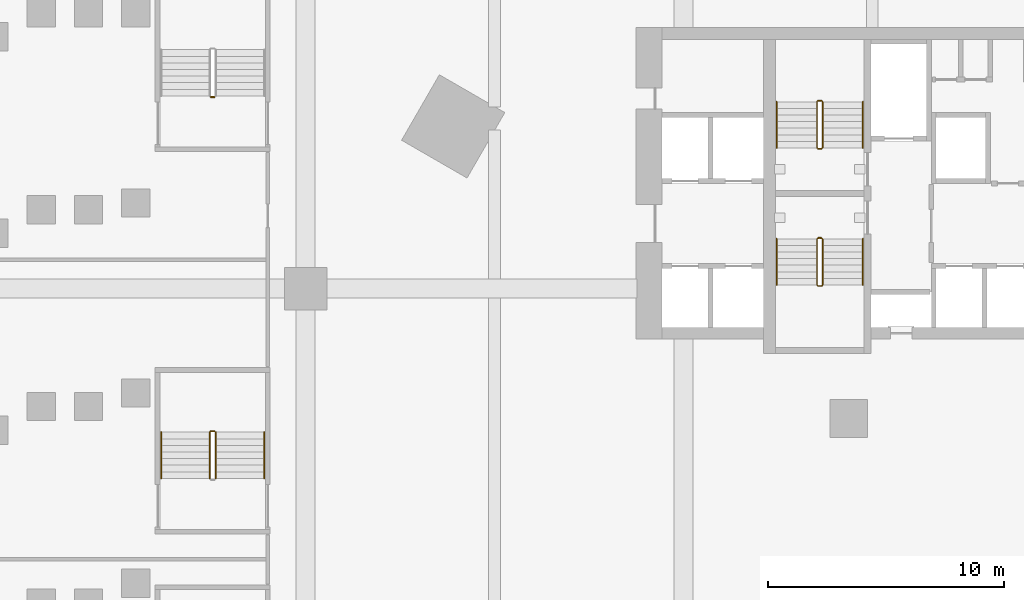
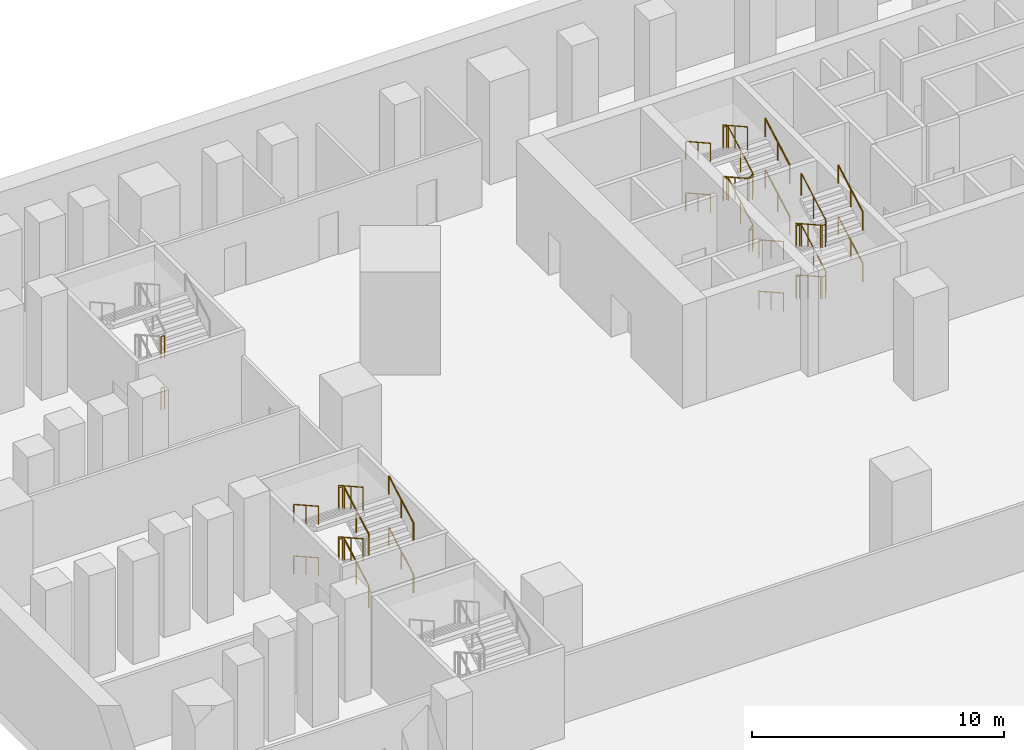
# One storey, part 19 of 24: 22 railings.
"""IFC4 building model written with IfcOpenShell, lengths in metres."""

from ifc_helpers import new_model, si_unit, direction, frame, origin, origin_2d, place, context, subcontext, project, spatial, circle, extrude, material, type_object, element, save


model = new_model("IFC4")

# Units and contexts
model_context = context("Model", 3, precision=1e-05, world=origin(), true_north=direction((0.0, 1.0)))
body_context = subcontext(model_context, "Body", "Model", "MODEL_VIEW")
ifc_project = project(units=[si_unit("LENGTHUNIT", "METRE"), si_unit("AREAUNIT", "SQUARE_METRE"), si_unit("VOLUMEUNIT", "CUBIC_METRE"), si_unit("PLANEANGLEUNIT", "RADIAN"), si_unit("MASSUNIT", "GRAM", prefix="KILO")], contexts=[model_context])

# Site, building, storey
site_placement = place(None, origin())
site = spatial("IfcSite", under=ifc_project, at=site_placement, CompositionType="ELEMENT")
building_placement = place(site_placement, origin())
building = spatial("IfcBuilding", under=site, at=building_placement, Name="Calabash Gate Tower", CompositionType="ELEMENT")
storey_placement = place(building_placement, frame((0.0, 0.0, -5.0)))
storey = spatial("IfcBuildingStorey", under=building, at=storey_placement, Name="B1", CompositionType="ELEMENT", Elevation=-5.0)

# Railings
ifc_material_1 = material(Name="Black powder-coated steel balusters", Category="steel")
railing_type_1 = type_object("IfcRailingType", Name="Stair guard RL1100", PredefinedType="GUARDRAIL", material=ifc_material_1)
railing_1_placement = place(storey_placement, frame((-10.14990234375, 13.902587890625, 0.0)))
element("IfcRailing", 1, at=railing_1_placement, inside=storey, type_object=railing_type_1, Name="B1 ST1 stair guard 1", PredefinedType="GUARDRAIL", context=body_context, shape_type="SweptSolid", body=[
    extrude(circle(Radius=0.02392578125, at=origin_2d()), frame((0.0, 0.0, 1.076171875), z_axis=(-1.0, 0.0, 0.0), x_axis=(0.0, -1.0, 0.0)), (0.0, 0.0, 1.0), 0.150146484375),
    extrude(circle(Radius=0.02392578125, at=origin_2d()), frame((-0.150146484375, 0.0, 1.076171875), z_axis=(0.77305925043, 0.19350078918, 0.604100024756), x_axis=(-0.242814311512, 0.970072785993, 0.0)), (0.0, 0.0, 1.0), 0.258544921875),
    extrude(circle(Radius=0.02392578125, at=origin_2d()), frame((0.0498046875, 0.050048828125, 1.232421875), z_axis=(0.0, 0.872479975208, 0.48864986735), x_axis=(-1.0, 0.0, 0.0)), (0.0, 0.0, 1.0), 2.23828125),
    extrude(circle(Radius=0.02392578125, at=origin_2d()), frame((0.0498046875, 2.0029296875, 2.326171875), z_axis=(-0.705375805398, 0.708833529934, 0.0), x_axis=(-0.708833529934, -0.705375805398, 0.0)), (0.0, 0.0, 1.0), 0.070556640625),
    extrude(circle(Radius=0.02392578125, at=origin_2d()), frame((0.0, 2.052978515625, 2.326171875), z_axis=(-1.0, 0.0, 0.0), x_axis=(0.0, -1.0, 0.0)), (0.0, 0.0, 1.0), 0.150146484375),
    extrude(circle(Radius=0.02392578125, at=origin_2d()), frame((-0.150146484375, 2.052978515625, 2.326171875), z_axis=(-0.29177245553, -0.29177245553, 0.91089937336), x_axis=(0.707106781187, -0.707106781187, 0.0)), (0.0, 0.0, 1.0), 0.171630859375),
    extrude(circle(Radius=0.02392578125, at=origin_2d()), frame((-0.2001953125, 2.0029296875, 2.482421875), z_axis=(0.0, -0.872479975208, 0.48864986735), x_axis=(1.0, 0.0, 0.0)), (0.0, 0.0, 1.0), 2.23828125),
    extrude(circle(Radius=0.02392578125, at=origin_2d()), frame((-0.2001953125, 0.050048828125, 3.576171875), z_axis=(0.970142500145, -0.242535625036, 0.0), x_axis=(0.242535625036, 0.970142500145, 0.0)), (0.0, 0.0, 1.0), 0.206298828125),
    extrude(circle(Radius=0.02392578125, at=origin_2d()), frame((0.0, 0.0, 3.576171875), z_axis=(-1.0, 0.0, 0.0), x_axis=(0.0, -1.0, 0.0)), (0.0, 0.0, 1.0), 0.150146484375),
    extrude(circle(Radius=0.02392578125, at=origin_2d()), frame((-0.150146484375, 0.0, 3.576171875), z_axis=(0.77305925043, 0.19350078918, 0.604100024756), x_axis=(-0.242814311512, 0.970072785993, 0.0)), (0.0, 0.0, 1.0), 0.258544921875),
    extrude(circle(Radius=0.02392578125, at=origin_2d()), frame((0.0498046875, 0.050048828125, 3.732421875), z_axis=(0.0, 0.872479975208, 0.48864986735), x_axis=(-1.0, 0.0, 0.0)), (0.0, 0.0, 1.0), 2.23828125),
    extrude(circle(Radius=0.02392578125, at=origin_2d()), frame((0.0498046875, 2.0029296875, 4.826171875), z_axis=(-0.705375805398, 0.708833529934, 0.0), x_axis=(-0.708833529934, -0.705375805398, 0.0)), (0.0, 0.0, 1.0), 0.070556640625),
    extrude(circle(Radius=0.02392578125, at=origin_2d()), frame((0.0, 2.052978515625, 4.826171875), z_axis=(-1.0, 0.0, 0.0), x_axis=(0.0, -1.0, 0.0)), (0.0, 0.0, 1.0), 0.150146484375),
    extrude(circle(Radius=0.02392578125, at=origin_2d()), frame((-0.150146484375, 2.052978515625, 4.826171875), z_axis=(-0.29177245553, -0.29177245553, 0.91089937336), x_axis=(0.707106781187, -0.707106781187, 0.0)), (0.0, 0.0, 1.0), 0.171630859375),
    extrude(circle(Radius=0.02392578125, at=origin_2d()), frame((-0.2001953125, 2.0029296875, 4.982421875), z_axis=(0.0, -0.872479975208, 0.48864986735), x_axis=(1.0, 0.0, 0.0)), (0.0, 0.0, 1.0), 2.23828125),
    extrude(circle(Radius=0.02099609375, at=origin_2d()), origin(), (0.0, 0.0, 1.0), 1.052001953125),
    extrude(circle(Radius=0.02099609375, at=origin_2d()), frame((-0.150146484375, 0.0, 0.0)), (0.0, 0.0, 1.0), 1.052001953125),
    extrude(circle(Radius=0.02099609375, at=origin_2d()), frame((0.0498046875, 0.050048828125, 0.15625)), (0.0, 0.0, 1.0), 1.052001953125),
    extrude(circle(Radius=0.02099609375, at=origin_2d()), frame((0.0498046875, 1.0263671875, 0.703125)), (0.0, 0.0, 1.0), 1.052001953125),
    extrude(circle(Radius=0.02099609375, at=origin_2d()), frame((0.0498046875, 2.0029296875, 1.25)), (0.0, 0.0, 1.0), 1.052001953125),
    extrude(circle(Radius=0.02099609375, at=origin_2d()), frame((0.0, 2.052978515625, 1.25)), (0.0, 0.0, 1.0), 1.052001953125),
    extrude(circle(Radius=0.02099609375, at=origin_2d()), frame((-0.150146484375, 2.052978515625, 1.25)), (0.0, 0.0, 1.0), 1.052001953125),
    extrude(circle(Radius=0.02099609375, at=origin_2d()), frame((-0.2001953125, 2.0029296875, 1.40625)), (0.0, 0.0, 1.0), 1.052001953125),
    extrude(circle(Radius=0.02099609375, at=origin_2d()), frame((-0.2001953125, 1.0263671875, 1.953125)), (0.0, 0.0, 1.0), 1.052001953125),
    extrude(circle(Radius=0.02099609375, at=origin_2d()), frame((-0.2001953125, 0.050048828125, 2.5)), (0.0, 0.0, 1.0), 1.052001953125),
    extrude(circle(Radius=0.02099609375, at=origin_2d()), frame((0.0, 0.0, 2.5)), (0.0, 0.0, 1.0), 1.052001953125),
    extrude(circle(Radius=0.02099609375, at=origin_2d()), frame((-0.150146484375, 0.0, 2.5)), (0.0, 0.0, 1.0), 1.052001953125),
    extrude(circle(Radius=0.02099609375, at=origin_2d()), frame((0.0498046875, 0.050048828125, 2.65625)), (0.0, 0.0, 1.0), 1.052001953125),
    extrude(circle(Radius=0.02099609375, at=origin_2d()), frame((0.0498046875, 1.0263671875, 3.203125)), (0.0, 0.0, 1.0), 1.052001953125),
    extrude(circle(Radius=0.02099609375, at=origin_2d()), frame((0.0498046875, 2.0029296875, 3.75)), (0.0, 0.0, 1.0), 1.052001953125),
    extrude(circle(Radius=0.02099609375, at=origin_2d()), frame((0.0, 2.052978515625, 3.75)), (0.0, 0.0, 1.0), 1.052001953125),
    extrude(circle(Radius=0.02099609375, at=origin_2d()), frame((-0.150146484375, 2.052978515625, 3.75)), (0.0, 0.0, 1.0), 1.052001953125),
    extrude(circle(Radius=0.02099609375, at=origin_2d()), frame((-0.2001953125, 2.0029296875, 3.90625)), (0.0, 0.0, 1.0), 1.052001953125),
    extrude(circle(Radius=0.02099609375, at=origin_2d()), frame((-0.2001953125, 1.0263671875, 4.453125)), (0.0, 0.0, 1.0), 1.052001953125),
    extrude(circle(Radius=0.02099609375, at=origin_2d()), frame((-0.2001953125, 0.050048828125, 5.0)), (0.0, 0.0, 1.0), 1.052001953125),
])
railing_2_placement = place(storey_placement, frame((-10.300048828125, 10.152587890625, 0.0)))
element("IfcRailing", 2, at=railing_2_placement, inside=storey, type_object=railing_type_1, Name="B1 ST2 stair guard 1", PredefinedType="GUARDRAIL", context=body_context, shape_type="SweptSolid", body=[
    extrude(circle(Radius=0.02392578125, at=origin_2d()), frame((0.0, 0.0, 1.076171875), z_axis=(1.0, 0.0, 0.0), x_axis=(0.0, 1.0, 0.0)), (0.0, 0.0, 1.0), 0.150146484375),
    extrude(circle(Radius=0.02392578125, at=origin_2d()), frame((0.150146484375, 0.0, 1.076171875), z_axis=(-0.773438643492, -0.193359660873, 0.603659429067), x_axis=(0.242535625036, -0.970142500145, 0.0)), (0.0, 0.0, 1.0), 0.2587890625),
    extrude(circle(Radius=0.02392578125, at=origin_2d()), frame((-0.050048828125, -0.050048828125, 1.232421875), z_axis=(0.0, -0.872479975208, 0.48864986735), x_axis=(1.0, 0.0, 0.0)), (0.0, 0.0, 1.0), 2.23828125),
    extrude(circle(Radius=0.02392578125, at=origin_2d()), frame((-0.050048828125, -2.0029296875, 2.326171875), z_axis=(0.707106781187, -0.707106781187, 0.0), x_axis=(0.707106781187, 0.707106781187, 0.0)), (0.0, 0.0, 1.0), 0.07080078125),
    extrude(circle(Radius=0.02392578125, at=origin_2d()), frame((0.0, -2.052978515625, 2.326171875), z_axis=(1.0, 0.0, 0.0), x_axis=(0.0, 1.0, 0.0)), (0.0, 0.0, 1.0), 0.150146484375),
    extrude(circle(Radius=0.02392578125, at=origin_2d()), frame((0.150146484375, -2.052978515625, 2.326171875), z_axis=(0.290469530425, 0.291893400672, 0.911276958196), x_axis=(-0.708833529934, 0.705375805398, 0.0)), (0.0, 0.0, 1.0), 0.17138671875),
    extrude(circle(Radius=0.02392578125, at=origin_2d()), frame((0.199951171875, -2.0029296875, 2.482421875), z_axis=(0.0, 0.872479975208, 0.48864986735), x_axis=(-1.0, 0.0, 0.0)), (0.0, 0.0, 1.0), 2.23828125),
    extrude(circle(Radius=0.02392578125, at=origin_2d()), frame((0.199951171875, -0.050048828125, 3.576171875), z_axis=(-0.970072785993, 0.242814311512, 0.0), x_axis=(-0.242814311512, -0.970072785993, 0.0)), (0.0, 0.0, 1.0), 0.2060546875),
    extrude(circle(Radius=0.02392578125, at=origin_2d()), frame((0.0, 0.0, 3.576171875), z_axis=(1.0, 0.0, 0.0), x_axis=(0.0, 1.0, 0.0)), (0.0, 0.0, 1.0), 0.150146484375),
    extrude(circle(Radius=0.02392578125, at=origin_2d()), frame((0.150146484375, 0.0, 3.576171875), z_axis=(-0.773438643492, -0.193359660873, 0.603659429067), x_axis=(0.242535625036, -0.970142500145, 0.0)), (0.0, 0.0, 1.0), 0.2587890625),
    extrude(circle(Radius=0.02392578125, at=origin_2d()), frame((-0.050048828125, -0.050048828125, 3.732421875), z_axis=(0.0, -0.872479975208, 0.48864986735), x_axis=(1.0, 0.0, 0.0)), (0.0, 0.0, 1.0), 2.23828125),
    extrude(circle(Radius=0.02392578125, at=origin_2d()), frame((-0.050048828125, -2.0029296875, 4.826171875), z_axis=(0.707106781187, -0.707106781187, 0.0), x_axis=(0.707106781187, 0.707106781187, 0.0)), (0.0, 0.0, 1.0), 0.07080078125),
    extrude(circle(Radius=0.02392578125, at=origin_2d()), frame((0.0, -2.052978515625, 4.826171875), z_axis=(1.0, 0.0, 0.0), x_axis=(0.0, 1.0, 0.0)), (0.0, 0.0, 1.0), 0.150146484375),
    extrude(circle(Radius=0.02392578125, at=origin_2d()), frame((0.150146484375, -2.052978515625, 4.826171875), z_axis=(0.290469530425, 0.291893400672, 0.911276958196), x_axis=(-0.708833529934, 0.705375805398, 0.0)), (0.0, 0.0, 1.0), 0.17138671875),
    extrude(circle(Radius=0.02392578125, at=origin_2d()), frame((0.199951171875, -2.0029296875, 4.982421875), z_axis=(0.0, 0.872479975208, 0.48864986735), x_axis=(-1.0, 0.0, 0.0)), (0.0, 0.0, 1.0), 2.23828125),
    extrude(circle(Radius=0.02099609375, at=origin_2d()), origin(), (0.0, 0.0, 1.0), 1.052001953125),
    extrude(circle(Radius=0.02099609375, at=origin_2d()), frame((0.150146484375, 0.0, 0.0)), (0.0, 0.0, 1.0), 1.052001953125),
    extrude(circle(Radius=0.02099609375, at=origin_2d()), frame((-0.050048828125, -0.050048828125, 0.15625)), (0.0, 0.0, 1.0), 1.052001953125),
    extrude(circle(Radius=0.02099609375, at=origin_2d()), frame((-0.050048828125, -1.0263671875, 0.703125)), (0.0, 0.0, 1.0), 1.052001953125),
    extrude(circle(Radius=0.02099609375, at=origin_2d()), frame((-0.050048828125, -2.0029296875, 1.25)), (0.0, 0.0, 1.0), 1.052001953125),
    extrude(circle(Radius=0.02099609375, at=origin_2d()), frame((0.0, -2.052978515625, 1.25)), (0.0, 0.0, 1.0), 1.052001953125),
    extrude(circle(Radius=0.02099609375, at=origin_2d()), frame((0.150146484375, -2.052978515625, 1.25)), (0.0, 0.0, 1.0), 1.052001953125),
    extrude(circle(Radius=0.02099609375, at=origin_2d()), frame((0.199951171875, -2.0029296875, 1.40625)), (0.0, 0.0, 1.0), 1.052001953125),
    extrude(circle(Radius=0.02099609375, at=origin_2d()), frame((0.199951171875, -1.0263671875, 1.953125)), (0.0, 0.0, 1.0), 1.052001953125),
    extrude(circle(Radius=0.02099609375, at=origin_2d()), frame((0.199951171875, -0.050048828125, 2.5)), (0.0, 0.0, 1.0), 1.052001953125),
    extrude(circle(Radius=0.02099609375, at=origin_2d()), frame((0.0, 0.0, 2.5)), (0.0, 0.0, 1.0), 1.052001953125),
    extrude(circle(Radius=0.02099609375, at=origin_2d()), frame((0.150146484375, 0.0, 2.5)), (0.0, 0.0, 1.0), 1.052001953125),
    extrude(circle(Radius=0.02099609375, at=origin_2d()), frame((-0.050048828125, -0.050048828125, 2.65625)), (0.0, 0.0, 1.0), 1.052001953125),
    extrude(circle(Radius=0.02099609375, at=origin_2d()), frame((-0.050048828125, -1.0263671875, 3.203125)), (0.0, 0.0, 1.0), 1.052001953125),
    extrude(circle(Radius=0.02099609375, at=origin_2d()), frame((-0.050048828125, -2.0029296875, 3.75)), (0.0, 0.0, 1.0), 1.052001953125),
    extrude(circle(Radius=0.02099609375, at=origin_2d()), frame((0.0, -2.052978515625, 3.75)), (0.0, 0.0, 1.0), 1.052001953125),
    extrude(circle(Radius=0.02099609375, at=origin_2d()), frame((0.150146484375, -2.052978515625, 3.75)), (0.0, 0.0, 1.0), 1.052001953125),
    extrude(circle(Radius=0.02099609375, at=origin_2d()), frame((0.199951171875, -2.0029296875, 3.90625)), (0.0, 0.0, 1.0), 1.052001953125),
    extrude(circle(Radius=0.02099609375, at=origin_2d()), frame((0.199951171875, -1.0263671875, 4.453125)), (0.0, 0.0, 1.0), 1.052001953125),
    extrude(circle(Radius=0.02099609375, at=origin_2d()), frame((0.199951171875, -0.050048828125, 5.0)), (0.0, 0.0, 1.0), 1.052001953125),
])
railing_3_placement = place(storey_placement, frame((-35.81005859375, -0.0400390625, 0.15625)))
element("IfcRailing", 3, at=railing_3_placement, inside=storey, type_object=railing_type_1, Name="B1 PS4 stair guard 1", PredefinedType="GUARDRAIL", context=body_context, shape_type="SweptSolid", body=[
    extrude(circle(Radius=0.02392578125, at=origin_2d()), frame((0.0, 0.0, 1.076171875), z_axis=(0.0, 0.87250601595, 0.488603368932), x_axis=(-1.0, 0.0, 0.0)), (0.0, 0.0, 1.0), 2.238525390625),
    extrude(circle(Radius=0.02099609375, at=origin_2d()), origin(), (0.0, 0.0, 1.0), 1.052001953125),
    extrude(circle(Radius=0.02099609375, at=origin_2d()), frame((0.0, 0.9765625, 0.546875)), (0.0, 0.0, 1.0), 1.052001953125),
    extrude(circle(Radius=0.02099609375, at=origin_2d()), frame((0.0, 1.953125, 1.09375)), (0.0, 0.0, 1.0), 1.052001953125),
])
railing_4_placement = place(storey_placement, frame((-35.860107421875, 1.962890625, 1.25)))
element("IfcRailing", 4, at=railing_4_placement, inside=storey, type_object=railing_type_1, Name="B1 PS4 stair guard 2", PredefinedType="GUARDRAIL", context=body_context, shape_type="SweptSolid", body=[
    extrude(circle(Radius=0.02392578125, at=origin_2d()), frame((0.0, 0.0, 1.076171875), z_axis=(-1.0, 0.0, 0.0), x_axis=(0.0, -1.0, 0.0)), (0.0, 0.0, 1.0), 0.14990234375),
    extrude(circle(Radius=0.02099609375, at=origin_2d()), origin(), (0.0, 0.0, 1.0), 1.052001953125),
    extrude(circle(Radius=0.02099609375, at=origin_2d()), frame((-0.14990234375, 0.0, 0.0)), (0.0, 0.0, 1.0), 1.052001953125),
])
railing_5_placement = place(storey_placement, frame((-36.06005859375, 1.9130859375, 1.40625)))
element("IfcRailing", 5, at=railing_5_placement, inside=storey, type_object=railing_type_1, Name="B1 PS4 stair guard 3", PredefinedType="GUARDRAIL", context=body_context, shape_type="SweptSolid", body=[
    extrude(circle(Radius=0.02392578125, at=origin_2d()), frame((0.0, 0.0, 1.076171875), z_axis=(0.0, -0.87250601595, 0.488603368932), x_axis=(1.0, 0.0, 0.0)), (0.0, 0.0, 1.0), 2.238525390625),
    extrude(circle(Radius=0.02099609375, at=origin_2d()), origin(), (0.0, 0.0, 1.0), 1.052001953125),
    extrude(circle(Radius=0.02099609375, at=origin_2d()), frame((0.0, -0.9765625, 0.546875)), (0.0, 0.0, 1.0), 1.052001953125),
    extrude(circle(Radius=0.02099609375, at=origin_2d()), frame((0.0, -1.953125, 1.09375)), (0.0, 0.0, 1.0), 1.052001953125),
])
railing_6_placement = place(storey_placement, frame((-35.81005859375, -0.0400390625, 2.65625)))
element("IfcRailing", 6, at=railing_6_placement, inside=storey, type_object=railing_type_1, Name="B1 PS4 stair guard 5", PredefinedType="GUARDRAIL", context=body_context, shape_type="SweptSolid", body=[
    extrude(circle(Radius=0.02392578125, at=origin_2d()), frame((0.0, 0.0, 1.076171875), z_axis=(0.0, 0.87250601595, 0.488603368932), x_axis=(-1.0, 0.0, 0.0)), (0.0, 0.0, 1.0), 2.238525390625),
    extrude(circle(Radius=0.02099609375, at=origin_2d()), origin(), (0.0, 0.0, 1.0), 1.052001953125),
    extrude(circle(Radius=0.02099609375, at=origin_2d()), frame((0.0, 0.9765625, 0.546875)), (0.0, 0.0, 1.0), 1.052001953125),
    extrude(circle(Radius=0.02099609375, at=origin_2d()), frame((0.0, 1.953125, 1.09375)), (0.0, 0.0, 1.0), 1.052001953125),
])
railing_7_placement = place(storey_placement, frame((-35.860107421875, 1.962890625, 3.75)))
element("IfcRailing", 7, at=railing_7_placement, inside=storey, type_object=railing_type_1, Name="B1 PS4 stair guard 6", PredefinedType="GUARDRAIL", context=body_context, shape_type="SweptSolid", body=[
    extrude(circle(Radius=0.02392578125, at=origin_2d()), frame((0.0, 0.0, 1.076171875), z_axis=(-1.0, 0.0, 0.0), x_axis=(0.0, -1.0, 0.0)), (0.0, 0.0, 1.0), 0.14990234375),
    extrude(circle(Radius=0.02099609375, at=origin_2d()), origin(), (0.0, 0.0, 1.0), 1.052001953125),
    extrude(circle(Radius=0.02099609375, at=origin_2d()), frame((-0.14990234375, 0.0, 0.0)), (0.0, 0.0, 1.0), 1.052001953125),
])
railing_8_placement = place(storey_placement, frame((-36.06005859375, 1.9130859375, 3.90625)))
element("IfcRailing", 8, at=railing_8_placement, inside=storey, type_object=railing_type_1, Name="B1 PS4 stair guard 7", PredefinedType="GUARDRAIL", context=body_context, shape_type="SweptSolid", body=[
    extrude(circle(Radius=0.02392578125, at=origin_2d()), frame((0.0, 0.0, 1.076171875), z_axis=(0.0, -0.87250601595, 0.488603368932), x_axis=(1.0, 0.0, 0.0)), (0.0, 0.0, 1.0), 2.238525390625),
    extrude(circle(Radius=0.02099609375, at=origin_2d()), origin(), (0.0, 0.0, 1.0), 1.052001953125),
    extrude(circle(Radius=0.02099609375, at=origin_2d()), frame((0.0, -0.9765625, 0.546875)), (0.0, 0.0, 1.0), 1.052001953125),
    extrude(circle(Radius=0.02099609375, at=origin_2d()), frame((0.0, -1.953125, 1.09375)), (0.0, 0.0, 1.0), 1.052001953125),
])
for number, where, name in (
    (9, (-35.860107421875, 16.110107421875, 2.5), "B1 PS5 stair guard 4"),
    (10, (-35.860107421875, 16.110107421875, 0.0), "B1 PS5 stair guard 8"),
):
    element("IfcRailing", number, at=place(storey_placement, frame(where)), inside=storey, type_object=railing_type_1, Name=name, PredefinedType="GUARDRAIL", context=body_context, shape_type="SweptSolid", body=[
        extrude(circle(Radius=0.02392578125, at=origin_2d()), frame((0.0, 0.0, 1.076171875), z_axis=(-1.0, 0.0, 0.0), x_axis=(0.0, -1.0, 0.0)), (0.0, 0.0, 1.0), 0.14990234375),
        extrude(circle(Radius=0.02099609375, at=origin_2d()), origin(), (0.0, 0.0, 1.0), 1.052001953125),
        extrude(circle(Radius=0.02099609375, at=origin_2d()), frame((-0.14990234375, 0.0, 0.0)), (0.0, 0.0, 1.0), 1.052001953125),
    ])
ifc_material_2 = material(Name="Black powder-coated steel tube 48 mm", Category="steel")
railing_type_2 = type_object("IfcRailingType", Name="Stair handrail RL900", PredefinedType="HANDRAIL", material=ifc_material_2)
railing_9_placement = place(storey_placement, frame((-8.39990234375, 13.95263671875, 0.15625)))
element("IfcRailing", 11, at=railing_9_placement, inside=storey, type_object=railing_type_2, Name="B1 ST1 stair handrail 1", PredefinedType="HANDRAIL", context=body_context, shape_type="SweptSolid", body=[
    extrude(circle(Radius=0.02392578125, at=origin_2d()), frame((0.0, 0.0, 0.8759765625), z_axis=(0.0, 0.872479975208, 0.48864986735), x_axis=(-1.0, 0.0, 0.0)), (0.0, 0.0, 1.0), 2.23828125),
    extrude(circle(Radius=0.02099609375, at=origin_2d()), origin(), (0.0, 0.0, 1.0), 0.851806640625),
    extrude(circle(Radius=0.02099609375, at=origin_2d()), frame((0.0, 0.9765625, 0.546875)), (0.0, 0.0, 1.0), 0.851806640625),
    extrude(circle(Radius=0.02099609375, at=origin_2d()), frame((0.0, 1.952880859375, 1.09375)), (0.0, 0.0, 1.0), 0.851806640625),
])
railing_10_placement = place(storey_placement, frame((-12.050048828125, 15.905517578125, 1.40625)))
element("IfcRailing", 12, at=railing_10_placement, inside=storey, type_object=railing_type_2, Name="B1 ST1 stair handrail 2", PredefinedType="HANDRAIL", context=body_context, shape_type="SweptSolid", body=[
    extrude(circle(Radius=0.02392578125, at=origin_2d()), frame((0.0, 0.0, 0.8759765625), z_axis=(0.0, -0.872479975208, 0.48864986735), x_axis=(1.0, 0.0, 0.0)), (0.0, 0.0, 1.0), 2.23828125),
    extrude(circle(Radius=0.02099609375, at=origin_2d()), origin(), (0.0, 0.0, 1.0), 0.851806640625),
    extrude(circle(Radius=0.02099609375, at=origin_2d()), frame((0.0, -0.9765625, 0.546875)), (0.0, 0.0, 1.0), 0.851806640625),
    extrude(circle(Radius=0.02099609375, at=origin_2d()), frame((0.0, -1.952880859375, 1.09375)), (0.0, 0.0, 1.0), 0.851806640625),
])
railing_11_placement = place(storey_placement, frame((-8.39990234375, 13.95263671875, 2.65625)))
element("IfcRailing", 13, at=railing_11_placement, inside=storey, type_object=railing_type_2, Name="B1 ST1 stair handrail 3", PredefinedType="HANDRAIL", context=body_context, shape_type="SweptSolid", body=[
    extrude(circle(Radius=0.02392578125, at=origin_2d()), frame((0.0, 0.0, 0.8759765625), z_axis=(0.0, 0.872479975208, 0.48864986735), x_axis=(-1.0, 0.0, 0.0)), (0.0, 0.0, 1.0), 2.23828125),
    extrude(circle(Radius=0.02099609375, at=origin_2d()), origin(), (0.0, 0.0, 1.0), 0.851806640625),
    extrude(circle(Radius=0.02099609375, at=origin_2d()), frame((0.0, 0.9765625, 0.546875)), (0.0, 0.0, 1.0), 0.851806640625),
    extrude(circle(Radius=0.02099609375, at=origin_2d()), frame((0.0, 1.952880859375, 1.09375)), (0.0, 0.0, 1.0), 0.851806640625),
])
for number, where, name in (
    (14, (-12.050048828125, 15.905517578125, 3.90625), "B1 ST1 stair handrail 4"),
    (15, (-12.050048828125, 10.1025390625, 0.15625), "B1 ST2 stair handrail 1"),
):
    element("IfcRailing", number, at=place(storey_placement, frame(where)), inside=storey, type_object=railing_type_2, Name=name, PredefinedType="HANDRAIL", context=body_context, shape_type="SweptSolid", body=[
        extrude(circle(Radius=0.02392578125, at=origin_2d()), frame((0.0, 0.0, 0.8759765625), z_axis=(0.0, -0.872479975208, 0.48864986735), x_axis=(1.0, 0.0, 0.0)), (0.0, 0.0, 1.0), 2.23828125),
        extrude(circle(Radius=0.02099609375, at=origin_2d()), origin(), (0.0, 0.0, 1.0), 0.851806640625),
        extrude(circle(Radius=0.02099609375, at=origin_2d()), frame((0.0, -0.9765625, 0.546875)), (0.0, 0.0, 1.0), 0.851806640625),
        extrude(circle(Radius=0.02099609375, at=origin_2d()), frame((0.0, -1.952880859375, 1.09375)), (0.0, 0.0, 1.0), 0.851806640625),
    ])
railing_12_placement = place(storey_placement, frame((-8.39990234375, 8.149658203125, 1.40625)))
element("IfcRailing", 16, at=railing_12_placement, inside=storey, type_object=railing_type_2, Name="B1 ST2 stair handrail 2", PredefinedType="HANDRAIL", context=body_context, shape_type="SweptSolid", body=[
    extrude(circle(Radius=0.02392578125, at=origin_2d()), frame((0.0, 0.0, 0.8759765625), z_axis=(0.0, 0.872479975208, 0.48864986735), x_axis=(-1.0, 0.0, 0.0)), (0.0, 0.0, 1.0), 2.23828125),
    extrude(circle(Radius=0.02099609375, at=origin_2d()), origin(), (0.0, 0.0, 1.0), 0.851806640625),
    extrude(circle(Radius=0.02099609375, at=origin_2d()), frame((0.0, 0.9765625, 0.546875)), (0.0, 0.0, 1.0), 0.851806640625),
    extrude(circle(Radius=0.02099609375, at=origin_2d()), frame((0.0, 1.952880859375, 1.09375)), (0.0, 0.0, 1.0), 0.851806640625),
])
railing_13_placement = place(storey_placement, frame((-12.050048828125, 10.1025390625, 2.65625)))
element("IfcRailing", 17, at=railing_13_placement, inside=storey, type_object=railing_type_2, Name="B1 ST2 stair handrail 3", PredefinedType="HANDRAIL", context=body_context, shape_type="SweptSolid", body=[
    extrude(circle(Radius=0.02392578125, at=origin_2d()), frame((0.0, 0.0, 0.8759765625), z_axis=(0.0, -0.872479975208, 0.48864986735), x_axis=(1.0, 0.0, 0.0)), (0.0, 0.0, 1.0), 2.23828125),
    extrude(circle(Radius=0.02099609375, at=origin_2d()), origin(), (0.0, 0.0, 1.0), 0.851806640625),
    extrude(circle(Radius=0.02099609375, at=origin_2d()), frame((0.0, -0.9765625, 0.546875)), (0.0, 0.0, 1.0), 0.851806640625),
    extrude(circle(Radius=0.02099609375, at=origin_2d()), frame((0.0, -1.952880859375, 1.09375)), (0.0, 0.0, 1.0), 0.851806640625),
])
railing_14_placement = place(storey_placement, frame((-8.39990234375, 8.149658203125, 3.90625)))
element("IfcRailing", 18, at=railing_14_placement, inside=storey, type_object=railing_type_2, Name="B1 ST2 stair handrail 4", PredefinedType="HANDRAIL", context=body_context, shape_type="SweptSolid", body=[
    extrude(circle(Radius=0.02392578125, at=origin_2d()), frame((0.0, 0.0, 0.8759765625), z_axis=(0.0, 0.872479975208, 0.48864986735), x_axis=(-1.0, 0.0, 0.0)), (0.0, 0.0, 1.0), 2.23828125),
    extrude(circle(Radius=0.02099609375, at=origin_2d()), origin(), (0.0, 0.0, 1.0), 0.851806640625),
    extrude(circle(Radius=0.02099609375, at=origin_2d()), frame((0.0, 0.9765625, 0.546875)), (0.0, 0.0, 1.0), 0.851806640625),
    extrude(circle(Radius=0.02099609375, at=origin_2d()), frame((0.0, 1.952880859375, 1.09375)), (0.0, 0.0, 1.0), 0.851806640625),
])
railing_15_placement = place(storey_placement, frame((-33.75, -0.0400390625, 0.15625)))
element("IfcRailing", 19, at=railing_15_placement, inside=storey, type_object=railing_type_2, Name="B1 PS4 stair handrail 1", PredefinedType="HANDRAIL", context=body_context, shape_type="SweptSolid", body=[
    extrude(circle(Radius=0.02392578125, at=origin_2d()), frame((0.0, 0.0, 0.8759765625), z_axis=(0.0, 0.87250601595, 0.488603368932), x_axis=(-1.0, 0.0, 0.0)), (0.0, 0.0, 1.0), 2.238525390625),
    extrude(circle(Radius=0.02099609375, at=origin_2d()), origin(), (0.0, 0.0, 1.0), 0.851806640625),
    extrude(circle(Radius=0.02099609375, at=origin_2d()), frame((0.0, 0.9765625, 0.546875)), (0.0, 0.0, 1.0), 0.851806640625),
    extrude(circle(Radius=0.02099609375, at=origin_2d()), frame((0.0, 1.953125, 1.09375)), (0.0, 0.0, 1.0), 0.851806640625),
])
railing_16_placement = place(storey_placement, frame((-38.1201171875, 1.9130859375, 1.40625)))
element("IfcRailing", 20, at=railing_16_placement, inside=storey, type_object=railing_type_2, Name="B1 PS4 stair handrail 2", PredefinedType="HANDRAIL", context=body_context, shape_type="SweptSolid", body=[
    extrude(circle(Radius=0.02392578125, at=origin_2d()), frame((0.0, 0.0, 0.8759765625), z_axis=(0.0, -0.87250601595, 0.488603368932), x_axis=(1.0, 0.0, 0.0)), (0.0, 0.0, 1.0), 2.238525390625),
    extrude(circle(Radius=0.02099609375, at=origin_2d()), origin(), (0.0, 0.0, 1.0), 0.851806640625),
    extrude(circle(Radius=0.02099609375, at=origin_2d()), frame((0.0, -0.9765625, 0.546875)), (0.0, 0.0, 1.0), 0.851806640625),
    extrude(circle(Radius=0.02099609375, at=origin_2d()), frame((0.0, -1.953125, 1.09375)), (0.0, 0.0, 1.0), 0.851806640625),
])
railing_17_placement = place(storey_placement, frame((-33.75, -0.0400390625, 2.65625)))
element("IfcRailing", 21, at=railing_17_placement, inside=storey, type_object=railing_type_2, Name="B1 PS4 stair handrail 3", PredefinedType="HANDRAIL", context=body_context, shape_type="SweptSolid", body=[
    extrude(circle(Radius=0.02392578125, at=origin_2d()), frame((0.0, 0.0, 0.8759765625), z_axis=(0.0, 0.87250601595, 0.488603368932), x_axis=(-1.0, 0.0, 0.0)), (0.0, 0.0, 1.0), 2.238525390625),
    extrude(circle(Radius=0.02099609375, at=origin_2d()), origin(), (0.0, 0.0, 1.0), 0.851806640625),
    extrude(circle(Radius=0.02099609375, at=origin_2d()), frame((0.0, 0.9765625, 0.546875)), (0.0, 0.0, 1.0), 0.851806640625),
    extrude(circle(Radius=0.02099609375, at=origin_2d()), frame((0.0, 1.953125, 1.09375)), (0.0, 0.0, 1.0), 0.851806640625),
])
railing_18_placement = place(storey_placement, frame((-38.1201171875, 1.9130859375, 3.90625)))
element("IfcRailing", 22, at=railing_18_placement, inside=storey, type_object=railing_type_2, Name="B1 PS4 stair handrail 4", PredefinedType="HANDRAIL", context=body_context, shape_type="SweptSolid", body=[
    extrude(circle(Radius=0.02392578125, at=origin_2d()), frame((0.0, 0.0, 0.8759765625), z_axis=(0.0, -0.87250601595, 0.488603368932), x_axis=(1.0, 0.0, 0.0)), (0.0, 0.0, 1.0), 2.238525390625),
    extrude(circle(Radius=0.02099609375, at=origin_2d()), origin(), (0.0, 0.0, 1.0), 0.851806640625),
    extrude(circle(Radius=0.02099609375, at=origin_2d()), frame((0.0, -0.9765625, 0.546875)), (0.0, 0.0, 1.0), 0.851806640625),
    extrude(circle(Radius=0.02099609375, at=origin_2d()), frame((0.0, -1.953125, 1.09375)), (0.0, 0.0, 1.0), 0.851806640625),
])

save(model, "model.ifc")
